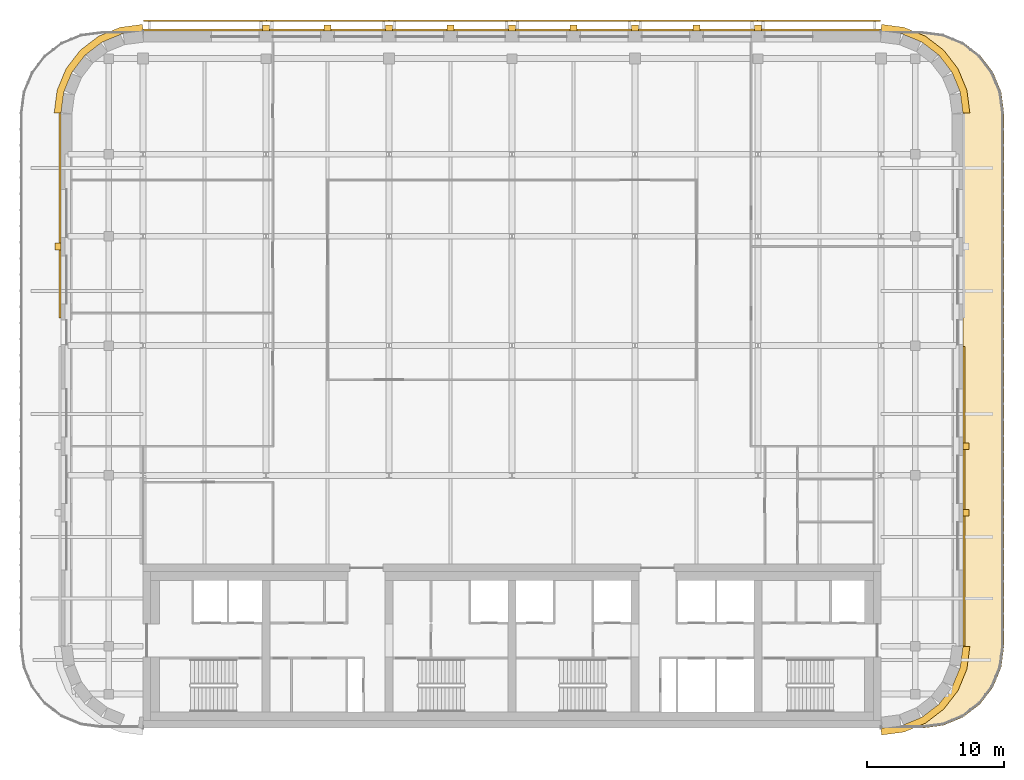
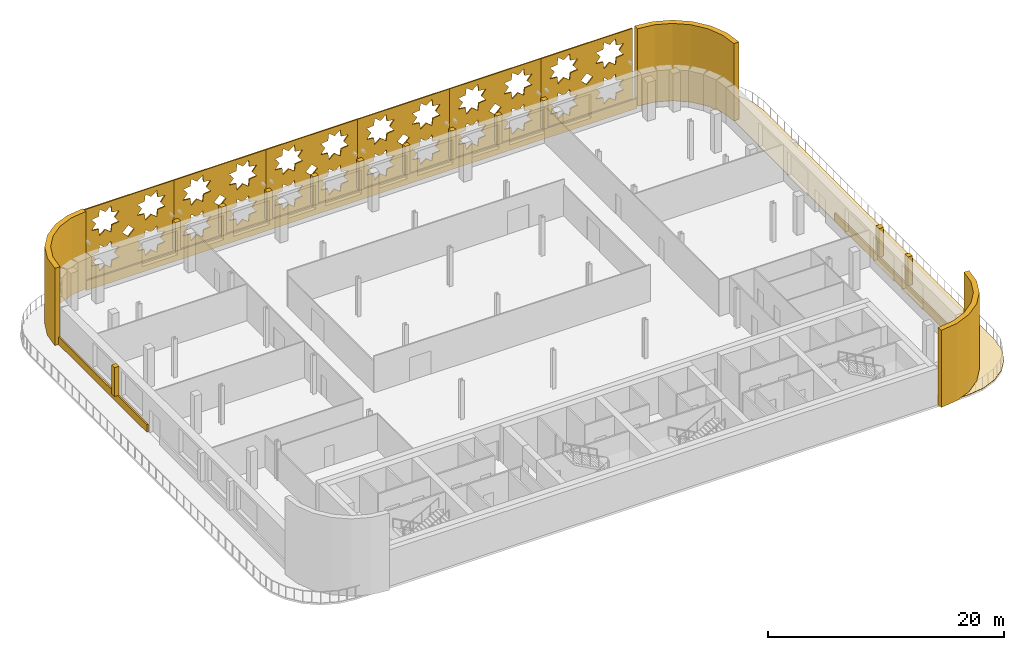
# One storey, part 14 of 15: 25 coverings.
"""IFC4 building model written with IfcOpenShell, lengths in metres."""

from ifc_helpers import new_model, si_unit, direction, frame, origin, place, context, subcontext, project, spatial, polyline, outline, extrude, material, layer, layer_set, type_object, element, save


model = new_model("IFC4")

# Units and contexts
model_context = context("Model", 3, precision=1e-05, world=origin(), true_north=direction((0.0, 1.0)))
body_context = subcontext(model_context, "Body", "Model", "MODEL_VIEW")
ifc_project = project(units=[si_unit("LENGTHUNIT", "METRE"), si_unit("AREAUNIT", "SQUARE_METRE"), si_unit("VOLUMEUNIT", "CUBIC_METRE"), si_unit("PLANEANGLEUNIT", "RADIAN"), si_unit("MASSUNIT", "GRAM", prefix="KILO")], contexts=[model_context])

# Site, building, storey
site_placement = place(None, origin())
site = spatial("IfcSite", under=ifc_project, at=site_placement, CompositionType="ELEMENT")
building_placement = place(site_placement, origin())
building = spatial("IfcBuilding", under=site, at=building_placement, Name="Zellij Exchange Tower", CompositionType="ELEMENT")
storey_placement = place(building_placement, frame((0.0, 0.0, 284.5)))
storey = spatial("IfcBuildingStorey", under=building, at=storey_placement, Name="L67", CompositionType="ELEMENT", Elevation=284.5)

# Coverings
ifc_material_1 = material(Name="Limestone cladding", Category="masonry")
ifc_layer_1 = layer(ifc_material_1, 0.14990234375)
ifc_layer_set_1 = layer_set([ifc_layer_1], Name="Limestone cladding")
covering_type_1 = type_object("IfcCoveringType", Name="ENV-CV1 Stone spandrel band 150", PredefinedType="CLADDING", material=ifc_layer_set_1)
covering_1_placement = place(storey_placement, origin())
element("IfcCovering", 1, at=covering_1_placement, inside=storey, type_object=covering_type_1, Name="Stone spandrel band", PredefinedType="CLADDING", context=body_context, shape_type="SweptSolid", body=[
    extrude(outline(polyline([(33.0, -7.973876953125), (33.0, 13.91845703125), (33.14990234375, 13.91845703125), (33.14990234375, -7.983642578125), (33.0, -7.973876953125)])), origin(), (0.0, 0.0, 1.0), 0.800048828125),
])
covering_2_placement = place(storey_placement, frame((0.0, 0.0, -0.219970703125)))
element("IfcCovering", 2, at=covering_2_placement, inside=storey, type_object=covering_type_1, Name="Stone spandrel band", PredefinedType="CLADDING", context=body_context, shape_type="SweptSolid", body=[
    extrude(outline(polyline([(26.973876953125, 37.0), (-26.973876953125, 37.0), (-26.983642578125, 37.14990234375), (26.983642578125, 37.14990234375), (26.973876953125, 37.0)])), origin(), (0.0, 0.0, 1.0), 1.02001953125),
])
covering_3_placement = place(storey_placement, origin())
element("IfcCovering", 3, at=covering_3_placement, inside=storey, type_object=covering_type_1, Name="Stone spandrel band", PredefinedType="CLADDING", context=body_context, shape_type="SweptSolid", body=[
    extrude(outline(polyline([(-33.0, 30.973876953125), (-33.0, 16.0185546875), (-33.14990234375, 16.0185546875), (-33.14990234375, 30.983642578125), (-33.0, 30.973876953125)])), origin(), (0.0, 0.0, 1.0), 0.800048828125),
])
ifc_layer_2 = layer(ifc_material_1, 0.5)
ifc_layer_set_2 = layer_set([ifc_layer_2], Name="Limestone cladding")
covering_type_2 = type_object("IfcCoveringType", Name="ENV-CV12 Stone corner pier 500", PredefinedType="CLADDING", material=ifc_layer_set_2)
covering_4_placement = place(storey_placement, origin())
element("IfcCovering", 4, at=covering_4_placement, inside=storey, type_object=covering_type_2, Name="Stone corner pier", PredefinedType="CLADDING", context=body_context, shape_type="SweptSolid", body=[
    extrude(outline(polyline([(27.0, -14.0), (28.552978515625, -13.795654296875), (30.0, -13.1962890625), (31.24267578125, -12.24267578125), (32.1962890625, -11.0), (32.795654296875, -9.552978515625), (33.0, -8.0), (33.5, -8.03271484375), (33.28271484375, -9.683349609375), (32.6328125, -11.252197265625), (31.59912109375, -12.59912109375), (30.252197265625, -13.6328125), (28.683349609375, -14.28271484375), (27.03271484375, -14.5), (27.0, -14.0)])), origin(), (0.0, 0.0, 1.0), 8.0),
])
covering_5_placement = place(storey_placement, origin())
element("IfcCovering", 5, at=covering_5_placement, inside=storey, type_object=covering_type_2, Name="Stone corner pier", PredefinedType="CLADDING", context=body_context, shape_type="SweptSolid", body=[
    extrude(outline(polyline([(33.0, 31.0), (32.795654296875, 32.552978515625), (32.1962890625, 34.0), (31.24267578125, 35.24267578125), (30.0, 36.1962890625), (28.552978515625, 36.795654296875), (27.0, 37.0), (27.03271484375, 37.5), (28.683349609375, 37.28271484375), (30.252197265625, 36.6328125), (31.59912109375, 35.59912109375), (32.6328125, 34.252197265625), (33.28271484375, 32.683349609375), (33.5, 31.03271484375), (33.0, 31.0)])), origin(), (0.0, 0.0, 1.0), 8.0),
])
covering_6_placement = place(storey_placement, origin())
element("IfcCovering", 6, at=covering_6_placement, inside=storey, type_object=covering_type_2, Name="Stone corner pier", PredefinedType="CLADDING", context=body_context, shape_type="SweptSolid", body=[
    extrude(outline(polyline([(-27.0, 37.0), (-28.552978515625, 36.795654296875), (-30.0, 36.1962890625), (-31.24267578125, 35.24267578125), (-32.1962890625, 34.0), (-32.795654296875, 32.552978515625), (-33.0, 31.0), (-33.5, 31.03271484375), (-33.28271484375, 32.683349609375), (-32.6328125, 34.252197265625), (-31.59912109375, 35.59912109375), (-30.252197265625, 36.6328125), (-28.683349609375, 37.28271484375), (-27.03271484375, 37.5), (-27.0, 37.0)])), origin(), (0.0, 0.0, 1.0), 8.0),
])
covering_type_3 = type_object("IfcCoveringType", Name="ENV-CV4 Stone pier 500x450", PredefinedType="CLADDING", material=ifc_material_1)
covering_7_placement = place(storey_placement, frame((0.0, 0.0, 0.800048828125)))
element("IfcCovering", 7, at=covering_7_placement, inside=storey, type_object=covering_type_3, Name="Stone pier", PredefinedType="CLADDING", context=body_context, shape_type="SweptSolid", body=[
    extrude(outline(polyline([(33.0, 1.51318359375), (33.0, 2.01318359375), (33.449951171875, 2.01318359375), (33.449951171875, 1.51318359375), (33.0, 1.51318359375)])), origin(), (0.0, 0.0, 1.0), 2.97998046875),
])
covering_8_placement = place(storey_placement, frame((0.0, 0.0, 0.800048828125)))
element("IfcCovering", 8, at=covering_8_placement, inside=storey, type_object=covering_type_3, Name="Stone pier", PredefinedType="CLADDING", context=body_context, shape_type="SweptSolid", body=[
    extrude(outline(polyline([(33.0, 6.381591796875), (33.0, 6.881591796875), (33.449951171875, 6.881591796875), (33.449951171875, 6.381591796875), (33.0, 6.381591796875)])), origin(), (0.0, 0.0, 1.0), 2.97998046875),
])
covering_9_placement = place(storey_placement, frame((0.0, 0.0, 0.800048828125)))
element("IfcCovering", 9, at=covering_9_placement, inside=storey, type_object=covering_type_3, Name="Stone pier", PredefinedType="CLADDING", context=body_context, shape_type="SweptSolid", body=[
    extrude(outline(polyline([(18.25, 37.0), (17.75, 37.0), (17.75, 37.449951171875), (18.25, 37.449951171875), (18.25, 37.0)])), origin(), (0.0, 0.0, 1.0), 2.97998046875),
])
covering_10_placement = place(storey_placement, frame((0.0, 0.0, 0.800048828125)))
element("IfcCovering", 10, at=covering_10_placement, inside=storey, type_object=covering_type_3, Name="Stone pier", PredefinedType="CLADDING", context=body_context, shape_type="SweptSolid", body=[
    extrude(outline(polyline([(13.75, 37.0), (13.25, 37.0), (13.25, 37.449951171875), (13.75, 37.449951171875), (13.75, 37.0)])), origin(), (0.0, 0.0, 1.0), 2.97998046875),
])
covering_11_placement = place(storey_placement, frame((0.0, 0.0, 0.800048828125)))
element("IfcCovering", 11, at=covering_11_placement, inside=storey, type_object=covering_type_3, Name="Stone pier", PredefinedType="CLADDING", context=body_context, shape_type="SweptSolid", body=[
    extrude(outline(polyline([(9.25, 37.0), (8.75, 37.0), (8.75, 37.449951171875), (9.25, 37.449951171875), (9.25, 37.0)])), origin(), (0.0, 0.0, 1.0), 2.97998046875),
])
covering_12_placement = place(storey_placement, frame((0.0, 0.0, 0.800048828125)))
element("IfcCovering", 12, at=covering_12_placement, inside=storey, type_object=covering_type_3, Name="Stone pier", PredefinedType="CLADDING", context=body_context, shape_type="SweptSolid", body=[
    extrude(outline(polyline([(4.75, 37.0), (4.25, 37.0), (4.25, 37.449951171875), (4.75, 37.449951171875), (4.75, 37.0)])), origin(), (0.0, 0.0, 1.0), 2.97998046875),
])
covering_13_placement = place(storey_placement, frame((0.0, 0.0, 0.800048828125)))
element("IfcCovering", 13, at=covering_13_placement, inside=storey, type_object=covering_type_3, Name="Stone pier", PredefinedType="CLADDING", context=body_context, shape_type="SweptSolid", body=[
    extrude(outline(polyline([(0.25, 37.0), (-0.25, 37.0), (-0.25, 37.449951171875), (0.25, 37.449951171875), (0.25, 37.0)])), origin(), (0.0, 0.0, 1.0), 2.97998046875),
])
covering_14_placement = place(storey_placement, frame((0.0, 0.0, 0.800048828125)))
element("IfcCovering", 14, at=covering_14_placement, inside=storey, type_object=covering_type_3, Name="Stone pier", PredefinedType="CLADDING", context=body_context, shape_type="SweptSolid", body=[
    extrude(outline(polyline([(-4.25, 37.0), (-4.75, 37.0), (-4.75, 37.449951171875), (-4.25, 37.449951171875), (-4.25, 37.0)])), origin(), (0.0, 0.0, 1.0), 2.97998046875),
])
covering_15_placement = place(storey_placement, frame((0.0, 0.0, 0.800048828125)))
element("IfcCovering", 15, at=covering_15_placement, inside=storey, type_object=covering_type_3, Name="Stone pier", PredefinedType="CLADDING", context=body_context, shape_type="SweptSolid", body=[
    extrude(outline(polyline([(-8.75, 37.0), (-9.25, 37.0), (-9.25, 37.449951171875), (-8.75, 37.449951171875), (-8.75, 37.0)])), origin(), (0.0, 0.0, 1.0), 2.97998046875),
])
covering_16_placement = place(storey_placement, frame((0.0, 0.0, 0.800048828125)))
element("IfcCovering", 16, at=covering_16_placement, inside=storey, type_object=covering_type_3, Name="Stone pier", PredefinedType="CLADDING", context=body_context, shape_type="SweptSolid", body=[
    extrude(outline(polyline([(-13.25, 37.0), (-13.75, 37.0), (-13.75, 37.449951171875), (-13.25, 37.449951171875), (-13.25, 37.0)])), origin(), (0.0, 0.0, 1.0), 2.97998046875),
])
covering_17_placement = place(storey_placement, frame((0.0, 0.0, 0.800048828125)))
element("IfcCovering", 17, at=covering_17_placement, inside=storey, type_object=covering_type_3, Name="Stone pier", PredefinedType="CLADDING", context=body_context, shape_type="SweptSolid", body=[
    extrude(outline(polyline([(-17.75, 37.0), (-18.25, 37.0), (-18.25, 37.449951171875), (-17.75, 37.449951171875), (-17.75, 37.0)])), origin(), (0.0, 0.0, 1.0), 2.97998046875),
])
covering_18_placement = place(storey_placement, frame((0.0, 0.0, 0.800048828125)))
element("IfcCovering", 18, at=covering_18_placement, inside=storey, type_object=covering_type_3, Name="Stone pier", PredefinedType="CLADDING", context=body_context, shape_type="SweptSolid", body=[
    extrude(outline(polyline([(-33.0, 21.48681640625), (-33.0, 20.98681640625), (-33.449951171875, 20.98681640625), (-33.449951171875, 21.48681640625), (-33.0, 21.48681640625)])), origin(), (0.0, 0.0, 1.0), 2.97998046875),
])
ifc_material_2 = material(Name="Limestone paving", Category="masonry")
ifc_layer_3 = layer(ifc_material_2, 0.0400390625)
ifc_layer_set_3 = layer_set([ifc_layer_3], Name="Limestone paving")
covering_type_4 = type_object("IfcCoveringType", Name="ENV-PV2 Terrace paving 40", PredefinedType="FLOORING", material=ifc_layer_set_3)
covering_19_placement = place(storey_placement, frame((0.0, 0.0, -0.0400390625)))
element("IfcCovering", 19, at=covering_19_placement, inside=storey, type_object=covering_type_4, Name="Terrace paving", PredefinedType="FLOORING", context=body_context, shape_type="SweptSolid", body=[
    extrude(outline(polyline([(27.0, -14.0), (30.0, -14.0), (31.552978515625, -13.795654296875), (33.0, -13.1962890625), (34.24267578125, -12.24267578125), (35.1962890625, -11.0), (35.795654296875, -9.552978515625), (36.0, -8.0), (36.0, 31.0), (35.795654296875, 32.552978515625), (35.1962890625, 34.0), (34.24267578125, 35.24267578125), (33.0, 36.1962890625), (31.552978515625, 36.795654296875), (30.0, 37.0), (27.0, 37.0), (28.552978515625, 36.795654296875), (30.0, 36.1962890625), (31.24267578125, 35.24267578125), (32.1962890625, 34.0), (32.795654296875, 32.552978515625), (33.0, 31.0), (33.0, -8.0), (32.795654296875, -9.552978515625), (32.1962890625, -11.0), (31.24267578125, -12.24267578125), (30.0, -13.1962890625), (28.552978515625, -13.795654296875), (27.0, -14.0)])), origin(), (0.0, 0.0, 1.0), 0.0400390625),
])
ifc_material_3 = material(Name="Limestone screen", Category="masonry")
ifc_layer_4 = layer(ifc_material_3, 0.1201171875)
ifc_layer_set_4 = layer_set([ifc_layer_4], Name="Limestone screen")
covering_type_5 = type_object("IfcCoveringType", Name="ENV-SC1 Pierced stone screen 120", PredefinedType="USERDEFINED", material=ifc_layer_set_4)
covering_20_placement = place(storey_placement, frame((26.947509765625, 37.760009765625, 0.300048828125), z_axis=(0.0, 0.0, 1.0), x_axis=(-1.0, 0.0, 0.0)))
element("IfcCovering", 20, at=covering_20_placement, inside=storey, type_object=covering_type_5, Name="Pierced stone screen", ObjectType="SCREEN", PredefinedType="USERDEFINED", context=body_context, shape_type="SweptSolid", body=[
    extrude(outline(polyline([(0.0, 0.0), (8.982421875, 0.0), (8.982421875, 7.35009765625), (0.0, 7.35009765625), (0.0, 0.0)]), holes=[polyline([(3.603759765625, 2.39990234375), (2.89013671875, 2.48193359375), (2.80810546875, 3.195556640625), (2.24560546875, 2.748779296875), (1.68310546875, 3.195556640625), (1.601318359375, 2.48193359375), (0.887451171875, 2.39990234375), (1.334228515625, 1.83740234375), (0.887451171875, 1.27490234375), (1.601318359375, 1.193115234375), (1.68310546875, 0.4794921875), (2.24560546875, 0.926025390625), (2.80810546875, 0.4794921875), (2.89013671875, 1.193115234375), (3.603759765625, 1.27490234375), (3.156982421875, 1.83740234375), (3.603759765625, 2.39990234375)]), polyline([(3.603759765625, 6.074951171875), (2.89013671875, 6.156982421875), (2.80810546875, 6.87060546875), (2.24560546875, 6.423828125), (1.68310546875, 6.87060546875), (1.601318359375, 6.156982421875), (0.887451171875, 6.074951171875), (1.334228515625, 5.512451171875), (0.887451171875, 4.949951171875), (1.601318359375, 4.867919921875), (1.68310546875, 4.154296875), (2.24560546875, 4.60107421875), (2.80810546875, 4.154296875), (2.89013671875, 4.867919921875), (3.603759765625, 4.949951171875), (3.156982421875, 5.512451171875), (3.603759765625, 6.074951171875)]), polyline([(8.094970703125, 2.39990234375), (7.38134765625, 2.48193359375), (7.29931640625, 3.195556640625), (6.73681640625, 2.748779296875), (6.17431640625, 3.195556640625), (6.09228515625, 2.48193359375), (5.37890625, 2.39990234375), (5.825439453125, 1.83740234375), (5.37890625, 1.27490234375), (6.09228515625, 1.193115234375), (6.17431640625, 0.4794921875), (6.73681640625, 0.926025390625), (7.29931640625, 0.4794921875), (7.38134765625, 1.193115234375), (8.094970703125, 1.27490234375), (7.648193359375, 1.83740234375), (8.094970703125, 2.39990234375)]), polyline([(8.094970703125, 6.074951171875), (7.38134765625, 6.156982421875), (7.29931640625, 6.87060546875), (6.73681640625, 6.423828125), (6.17431640625, 6.87060546875), (6.09228515625, 6.156982421875), (5.37890625, 6.074951171875), (5.825439453125, 5.512451171875), (5.37890625, 4.949951171875), (6.09228515625, 4.867919921875), (6.17431640625, 4.154296875), (6.73681640625, 4.60107421875), (7.29931640625, 4.154296875), (7.38134765625, 4.867919921875), (8.094970703125, 4.949951171875), (7.648193359375, 5.512451171875), (8.094970703125, 6.074951171875)]), polyline([(5.079345703125, 3.675048828125), (4.4912109375, 4.262939453125), (3.9033203125, 3.675048828125), (4.4912109375, 3.0869140625), (5.079345703125, 3.675048828125)])]), frame((0.0, 0.06005859375, 0.0), z_axis=(0.0, -1.0, 0.0), x_axis=(1.0, 0.0, 0.0)), (0.0, 0.0, 1.0), 0.1201171875),
])
covering_21_placement = place(storey_placement, frame((17.965087890625, 37.760009765625, 0.300048828125), z_axis=(0.0, 0.0, 1.0), x_axis=(-1.0, 0.0, 0.0)))
element("IfcCovering", 21, at=covering_21_placement, inside=storey, type_object=covering_type_5, Name="Pierced stone screen", ObjectType="SCREEN", PredefinedType="USERDEFINED", context=body_context, shape_type="SweptSolid", body=[
    extrude(outline(polyline([(0.0, 0.0), (8.982421875, 0.0), (8.982421875, 7.35009765625), (0.0, 7.35009765625), (0.0, 0.0)]), holes=[polyline([(3.603759765625, 2.39990234375), (2.89013671875, 2.48193359375), (2.80810546875, 3.195556640625), (2.24560546875, 2.748779296875), (1.68310546875, 3.195556640625), (1.601318359375, 2.48193359375), (0.887451171875, 2.39990234375), (1.334228515625, 1.83740234375), (0.887451171875, 1.27490234375), (1.601318359375, 1.193115234375), (1.68310546875, 0.4794921875), (2.24560546875, 0.926025390625), (2.80810546875, 0.4794921875), (2.89013671875, 1.193115234375), (3.603759765625, 1.27490234375), (3.156982421875, 1.83740234375), (3.603759765625, 2.39990234375)]), polyline([(3.603759765625, 6.074951171875), (2.89013671875, 6.156982421875), (2.80810546875, 6.87060546875), (2.24560546875, 6.423828125), (1.68310546875, 6.87060546875), (1.601318359375, 6.156982421875), (0.887451171875, 6.074951171875), (1.334228515625, 5.512451171875), (0.887451171875, 4.949951171875), (1.601318359375, 4.867919921875), (1.68310546875, 4.154296875), (2.24560546875, 4.60107421875), (2.80810546875, 4.154296875), (2.89013671875, 4.867919921875), (3.603759765625, 4.949951171875), (3.156982421875, 5.512451171875), (3.603759765625, 6.074951171875)]), polyline([(8.094970703125, 2.39990234375), (7.38134765625, 2.48193359375), (7.29931640625, 3.195556640625), (6.73681640625, 2.748779296875), (6.17431640625, 3.195556640625), (6.09228515625, 2.48193359375), (5.37890625, 2.39990234375), (5.825439453125, 1.83740234375), (5.37890625, 1.27490234375), (6.09228515625, 1.193115234375), (6.17431640625, 0.4794921875), (6.73681640625, 0.926025390625), (7.29931640625, 0.4794921875), (7.38134765625, 1.193115234375), (8.094970703125, 1.27490234375), (7.648193359375, 1.83740234375), (8.094970703125, 2.39990234375)]), polyline([(8.094970703125, 6.074951171875), (7.38134765625, 6.156982421875), (7.29931640625, 6.87060546875), (6.73681640625, 6.423828125), (6.17431640625, 6.87060546875), (6.09228515625, 6.156982421875), (5.37890625, 6.074951171875), (5.825439453125, 5.512451171875), (5.37890625, 4.949951171875), (6.09228515625, 4.867919921875), (6.17431640625, 4.154296875), (6.73681640625, 4.60107421875), (7.29931640625, 4.154296875), (7.38134765625, 4.867919921875), (8.094970703125, 4.949951171875), (7.648193359375, 5.512451171875), (8.094970703125, 6.074951171875)]), polyline([(5.079345703125, 3.675048828125), (4.4912109375, 4.262939453125), (3.9033203125, 3.675048828125), (4.4912109375, 3.0869140625), (5.079345703125, 3.675048828125)])]), frame((0.0, 0.06005859375, 0.0), z_axis=(0.0, -1.0, 0.0), x_axis=(1.0, 0.0, 0.0)), (0.0, 0.0, 1.0), 0.1201171875),
])
covering_22_placement = place(storey_placement, frame((8.982421875, 37.760009765625, 0.300048828125), z_axis=(0.0, 0.0, 1.0), x_axis=(-1.0, 0.0, 0.0)))
element("IfcCovering", 22, at=covering_22_placement, inside=storey, type_object=covering_type_5, Name="Pierced stone screen", ObjectType="SCREEN", PredefinedType="USERDEFINED", context=body_context, shape_type="SweptSolid", body=[
    extrude(outline(polyline([(0.0, 0.0), (8.982421875, 0.0), (8.982421875, 7.35009765625), (0.0, 7.35009765625), (0.0, 0.0)]), holes=[polyline([(3.603759765625, 2.39990234375), (2.89013671875, 2.48193359375), (2.80810546875, 3.195556640625), (2.24560546875, 2.748779296875), (1.68310546875, 3.195556640625), (1.601318359375, 2.48193359375), (0.887451171875, 2.39990234375), (1.334228515625, 1.83740234375), (0.887451171875, 1.27490234375), (1.601318359375, 1.193115234375), (1.68310546875, 0.4794921875), (2.24560546875, 0.926025390625), (2.80810546875, 0.4794921875), (2.89013671875, 1.193115234375), (3.603759765625, 1.27490234375), (3.156982421875, 1.83740234375), (3.603759765625, 2.39990234375)]), polyline([(3.603759765625, 6.074951171875), (2.89013671875, 6.156982421875), (2.80810546875, 6.87060546875), (2.24560546875, 6.423828125), (1.68310546875, 6.87060546875), (1.601318359375, 6.156982421875), (0.887451171875, 6.074951171875), (1.334228515625, 5.512451171875), (0.887451171875, 4.949951171875), (1.601318359375, 4.867919921875), (1.68310546875, 4.154296875), (2.24560546875, 4.60107421875), (2.80810546875, 4.154296875), (2.89013671875, 4.867919921875), (3.603759765625, 4.949951171875), (3.156982421875, 5.512451171875), (3.603759765625, 6.074951171875)]), polyline([(8.094970703125, 2.39990234375), (7.38134765625, 2.48193359375), (7.29931640625, 3.195556640625), (6.73681640625, 2.748779296875), (6.17431640625, 3.195556640625), (6.09228515625, 2.48193359375), (5.37890625, 2.39990234375), (5.825439453125, 1.83740234375), (5.37890625, 1.27490234375), (6.09228515625, 1.193115234375), (6.17431640625, 0.4794921875), (6.73681640625, 0.926025390625), (7.29931640625, 0.4794921875), (7.38134765625, 1.193115234375), (8.094970703125, 1.27490234375), (7.648193359375, 1.83740234375), (8.094970703125, 2.39990234375)]), polyline([(8.094970703125, 6.074951171875), (7.38134765625, 6.156982421875), (7.29931640625, 6.87060546875), (6.73681640625, 6.423828125), (6.17431640625, 6.87060546875), (6.09228515625, 6.156982421875), (5.37890625, 6.074951171875), (5.825439453125, 5.512451171875), (5.37890625, 4.949951171875), (6.09228515625, 4.867919921875), (6.17431640625, 4.154296875), (6.73681640625, 4.60107421875), (7.29931640625, 4.154296875), (7.38134765625, 4.867919921875), (8.094970703125, 4.949951171875), (7.648193359375, 5.512451171875), (8.094970703125, 6.074951171875)]), polyline([(5.079345703125, 3.675048828125), (4.4912109375, 4.262939453125), (3.9033203125, 3.675048828125), (4.4912109375, 3.0869140625), (5.079345703125, 3.675048828125)])]), frame((0.0, 0.06005859375, 0.0), z_axis=(0.0, -1.0, 0.0), x_axis=(1.0, 0.0, 0.0)), (0.0, 0.0, 1.0), 0.1201171875),
])
covering_23_placement = place(storey_placement, frame((0.0, 37.760009765625, 0.300048828125), z_axis=(0.0, 0.0, 1.0), x_axis=(-1.0, 0.0, 0.0)))
element("IfcCovering", 23, at=covering_23_placement, inside=storey, type_object=covering_type_5, Name="Pierced stone screen", ObjectType="SCREEN", PredefinedType="USERDEFINED", context=body_context, shape_type="SweptSolid", body=[
    extrude(outline(polyline([(0.0, 0.0), (8.982421875, 0.0), (8.982421875, 7.35009765625), (0.0, 7.35009765625), (0.0, 0.0)]), holes=[polyline([(3.603759765625, 2.39990234375), (2.89013671875, 2.48193359375), (2.80810546875, 3.195556640625), (2.24560546875, 2.748779296875), (1.68310546875, 3.195556640625), (1.601318359375, 2.48193359375), (0.887451171875, 2.39990234375), (1.334228515625, 1.83740234375), (0.887451171875, 1.27490234375), (1.601318359375, 1.193115234375), (1.68310546875, 0.4794921875), (2.24560546875, 0.926025390625), (2.80810546875, 0.4794921875), (2.89013671875, 1.193115234375), (3.603759765625, 1.27490234375), (3.156982421875, 1.83740234375), (3.603759765625, 2.39990234375)]), polyline([(3.603759765625, 6.074951171875), (2.89013671875, 6.156982421875), (2.80810546875, 6.87060546875), (2.24560546875, 6.423828125), (1.68310546875, 6.87060546875), (1.601318359375, 6.156982421875), (0.887451171875, 6.074951171875), (1.334228515625, 5.512451171875), (0.887451171875, 4.949951171875), (1.601318359375, 4.867919921875), (1.68310546875, 4.154296875), (2.24560546875, 4.60107421875), (2.80810546875, 4.154296875), (2.89013671875, 4.867919921875), (3.603759765625, 4.949951171875), (3.156982421875, 5.512451171875), (3.603759765625, 6.074951171875)]), polyline([(8.094970703125, 2.39990234375), (7.38134765625, 2.48193359375), (7.29931640625, 3.195556640625), (6.73681640625, 2.748779296875), (6.17431640625, 3.195556640625), (6.09228515625, 2.48193359375), (5.37890625, 2.39990234375), (5.825439453125, 1.83740234375), (5.37890625, 1.27490234375), (6.09228515625, 1.193115234375), (6.17431640625, 0.4794921875), (6.73681640625, 0.926025390625), (7.29931640625, 0.4794921875), (7.38134765625, 1.193115234375), (8.094970703125, 1.27490234375), (7.648193359375, 1.83740234375), (8.094970703125, 2.39990234375)]), polyline([(8.094970703125, 6.074951171875), (7.38134765625, 6.156982421875), (7.29931640625, 6.87060546875), (6.73681640625, 6.423828125), (6.17431640625, 6.87060546875), (6.09228515625, 6.156982421875), (5.37890625, 6.074951171875), (5.825439453125, 5.512451171875), (5.37890625, 4.949951171875), (6.09228515625, 4.867919921875), (6.17431640625, 4.154296875), (6.73681640625, 4.60107421875), (7.29931640625, 4.154296875), (7.38134765625, 4.867919921875), (8.094970703125, 4.949951171875), (7.648193359375, 5.512451171875), (8.094970703125, 6.074951171875)]), polyline([(5.079345703125, 3.675048828125), (4.4912109375, 4.262939453125), (3.9033203125, 3.675048828125), (4.4912109375, 3.0869140625), (5.079345703125, 3.675048828125)])]), frame((0.0, 0.06005859375, 0.0), z_axis=(0.0, -1.0, 0.0), x_axis=(1.0, 0.0, 0.0)), (0.0, 0.0, 1.0), 0.1201171875),
])
covering_24_placement = place(storey_placement, frame((-8.982421875, 37.760009765625, 0.300048828125), z_axis=(0.0, 0.0, 1.0), x_axis=(-1.0, 0.0, 0.0)))
element("IfcCovering", 24, at=covering_24_placement, inside=storey, type_object=covering_type_5, Name="Pierced stone screen", ObjectType="SCREEN", PredefinedType="USERDEFINED", context=body_context, shape_type="SweptSolid", body=[
    extrude(outline(polyline([(0.0, 0.0), (8.982421875, 0.0), (8.982421875, 7.35009765625), (0.0, 7.35009765625), (0.0, 0.0)]), holes=[polyline([(3.603759765625, 2.39990234375), (2.89013671875, 2.48193359375), (2.80810546875, 3.195556640625), (2.24560546875, 2.748779296875), (1.68310546875, 3.195556640625), (1.601318359375, 2.48193359375), (0.887451171875, 2.39990234375), (1.334228515625, 1.83740234375), (0.887451171875, 1.27490234375), (1.601318359375, 1.193115234375), (1.68310546875, 0.4794921875), (2.24560546875, 0.926025390625), (2.80810546875, 0.4794921875), (2.89013671875, 1.193115234375), (3.603759765625, 1.27490234375), (3.156982421875, 1.83740234375), (3.603759765625, 2.39990234375)]), polyline([(3.603759765625, 6.074951171875), (2.89013671875, 6.156982421875), (2.80810546875, 6.87060546875), (2.24560546875, 6.423828125), (1.68310546875, 6.87060546875), (1.601318359375, 6.156982421875), (0.887451171875, 6.074951171875), (1.334228515625, 5.512451171875), (0.887451171875, 4.949951171875), (1.601318359375, 4.867919921875), (1.68310546875, 4.154296875), (2.24560546875, 4.60107421875), (2.80810546875, 4.154296875), (2.89013671875, 4.867919921875), (3.603759765625, 4.949951171875), (3.156982421875, 5.512451171875), (3.603759765625, 6.074951171875)]), polyline([(8.094970703125, 2.39990234375), (7.38134765625, 2.48193359375), (7.29931640625, 3.195556640625), (6.73681640625, 2.748779296875), (6.17431640625, 3.195556640625), (6.09228515625, 2.48193359375), (5.37890625, 2.39990234375), (5.825439453125, 1.83740234375), (5.37890625, 1.27490234375), (6.09228515625, 1.193115234375), (6.17431640625, 0.4794921875), (6.73681640625, 0.926025390625), (7.29931640625, 0.4794921875), (7.38134765625, 1.193115234375), (8.094970703125, 1.27490234375), (7.648193359375, 1.83740234375), (8.094970703125, 2.39990234375)]), polyline([(8.094970703125, 6.074951171875), (7.38134765625, 6.156982421875), (7.29931640625, 6.87060546875), (6.73681640625, 6.423828125), (6.17431640625, 6.87060546875), (6.09228515625, 6.156982421875), (5.37890625, 6.074951171875), (5.825439453125, 5.512451171875), (5.37890625, 4.949951171875), (6.09228515625, 4.867919921875), (6.17431640625, 4.154296875), (6.73681640625, 4.60107421875), (7.29931640625, 4.154296875), (7.38134765625, 4.867919921875), (8.094970703125, 4.949951171875), (7.648193359375, 5.512451171875), (8.094970703125, 6.074951171875)]), polyline([(5.079345703125, 3.675048828125), (4.4912109375, 4.262939453125), (3.9033203125, 3.675048828125), (4.4912109375, 3.0869140625), (5.079345703125, 3.675048828125)])]), frame((0.0, 0.06005859375, 0.0), z_axis=(0.0, -1.0, 0.0), x_axis=(1.0, 0.0, 0.0)), (0.0, 0.0, 1.0), 0.1201171875),
])
covering_25_placement = place(storey_placement, frame((-17.965087890625, 37.760009765625, 0.300048828125), z_axis=(0.0, 0.0, 1.0), x_axis=(-1.0, 0.0, 0.0)))
element("IfcCovering", 25, at=covering_25_placement, inside=storey, type_object=covering_type_5, Name="Pierced stone screen", ObjectType="SCREEN", PredefinedType="USERDEFINED", context=body_context, shape_type="SweptSolid", body=[
    extrude(outline(polyline([(0.0, 0.0), (8.982421875, 0.0), (8.982421875, 7.35009765625), (0.0, 7.35009765625), (0.0, 0.0)]), holes=[polyline([(3.603759765625, 2.39990234375), (2.89013671875, 2.48193359375), (2.80810546875, 3.195556640625), (2.24560546875, 2.748779296875), (1.68310546875, 3.195556640625), (1.601318359375, 2.48193359375), (0.887451171875, 2.39990234375), (1.334228515625, 1.83740234375), (0.887451171875, 1.27490234375), (1.601318359375, 1.193115234375), (1.68310546875, 0.4794921875), (2.24560546875, 0.926025390625), (2.80810546875, 0.4794921875), (2.89013671875, 1.193115234375), (3.603759765625, 1.27490234375), (3.156982421875, 1.83740234375), (3.603759765625, 2.39990234375)]), polyline([(3.603759765625, 6.074951171875), (2.89013671875, 6.156982421875), (2.80810546875, 6.87060546875), (2.24560546875, 6.423828125), (1.68310546875, 6.87060546875), (1.601318359375, 6.156982421875), (0.887451171875, 6.074951171875), (1.334228515625, 5.512451171875), (0.887451171875, 4.949951171875), (1.601318359375, 4.867919921875), (1.68310546875, 4.154296875), (2.24560546875, 4.60107421875), (2.80810546875, 4.154296875), (2.89013671875, 4.867919921875), (3.603759765625, 4.949951171875), (3.156982421875, 5.512451171875), (3.603759765625, 6.074951171875)]), polyline([(8.094970703125, 2.39990234375), (7.38134765625, 2.48193359375), (7.29931640625, 3.195556640625), (6.73681640625, 2.748779296875), (6.17431640625, 3.195556640625), (6.09228515625, 2.48193359375), (5.37890625, 2.39990234375), (5.825439453125, 1.83740234375), (5.37890625, 1.27490234375), (6.09228515625, 1.193115234375), (6.17431640625, 0.4794921875), (6.73681640625, 0.926025390625), (7.29931640625, 0.4794921875), (7.38134765625, 1.193115234375), (8.094970703125, 1.27490234375), (7.648193359375, 1.83740234375), (8.094970703125, 2.39990234375)]), polyline([(8.094970703125, 6.074951171875), (7.38134765625, 6.156982421875), (7.29931640625, 6.87060546875), (6.73681640625, 6.423828125), (6.17431640625, 6.87060546875), (6.09228515625, 6.156982421875), (5.37890625, 6.074951171875), (5.825439453125, 5.512451171875), (5.37890625, 4.949951171875), (6.09228515625, 4.867919921875), (6.17431640625, 4.154296875), (6.73681640625, 4.60107421875), (7.29931640625, 4.154296875), (7.38134765625, 4.867919921875), (8.094970703125, 4.949951171875), (7.648193359375, 5.512451171875), (8.094970703125, 6.074951171875)]), polyline([(5.079345703125, 3.675048828125), (4.4912109375, 4.262939453125), (3.9033203125, 3.675048828125), (4.4912109375, 3.0869140625), (5.079345703125, 3.675048828125)])]), frame((0.0, 0.06005859375, 0.0), z_axis=(0.0, -1.0, 0.0), x_axis=(1.0, 0.0, 0.0)), (0.0, 0.0, 1.0), 0.1201171875),
])

save(model, "model.ifc")
